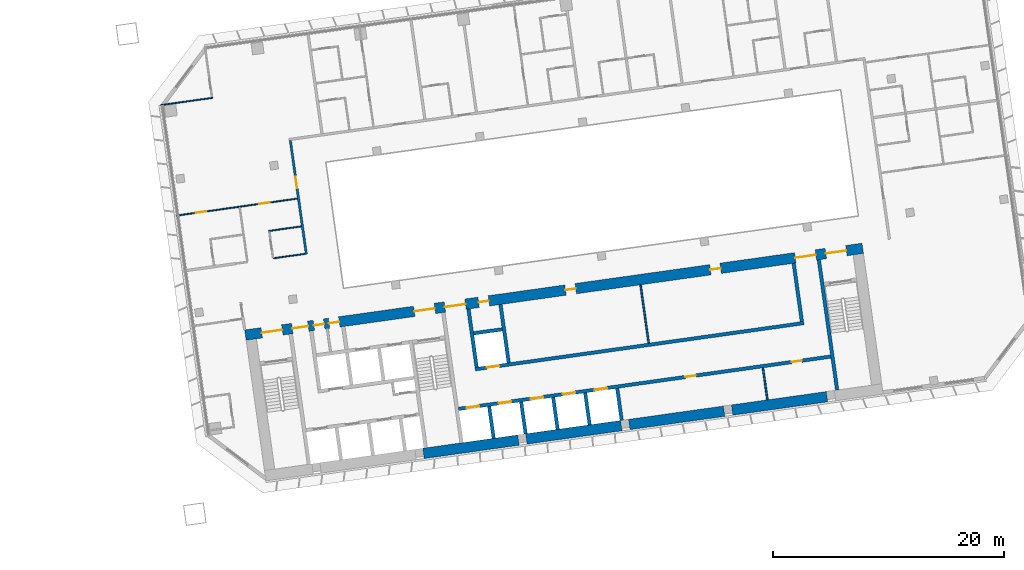
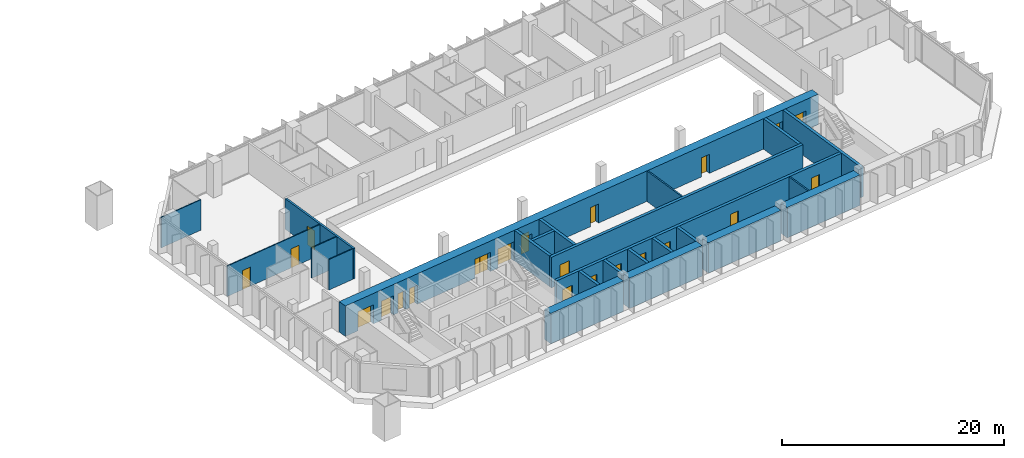
# One storey, part 20 of 25: 24 walls, 22 doors, 22 openings.
"""IFC4 building model written with IfcOpenShell, lengths in metres."""

import ifcopenshell
import ifcopenshell.guid

model = None  # the IFC model being written
_history = None  # IfcOwnerHistory: only IFC2X3 demands one
_inside = {}  # id of a spatial element -> (the spatial element, [elements in it])
_under = {}  # id of a project, library or spatial element -> (it, [spatial elements below it])
_declared = {}  # id of a project -> (the project, [libraries it declares])
_typed = {}  # id of a type object -> (the type object, [elements of that type])
_made_of = {}  # id of a material, layer set ... -> (it, [elements and type objects made of it])


def new_model(schema):
    """Start an empty IFC model of exactly this schema.

    Asked for "IFC4X3", IfcOpenShell would pick the latest addendum, in which some entities
    have other attributes; the version numbers below select the first issue.
    IFC2X3 requires an IfcOwnerHistory on every rooted entity: one is made here for all.
    """
    global model, _history
    if schema == "IFC4X3":
        model = ifcopenshell.file(schema_version=(4, 3, 0, 0))
    else:
        model = ifcopenshell.file(schema=schema)
    _inside.clear()
    _under.clear()
    _declared.clear()
    _typed.clear()
    _made_of.clear()
    _history = None
    if model.schema == "IFC2X3":
        org = make("IfcOrganization", Name="unknown")
        user = make(
            "IfcPersonAndOrganization",
            ThePerson=make("IfcPerson", FamilyName="unknown"),
            TheOrganization=org,
        )
        app = make(
            "IfcApplication",
            ApplicationDeveloper=org,
            Version="unknown",
            ApplicationFullName="unknown",
            ApplicationIdentifier="unknown",
        )
        _history = make(
            "IfcOwnerHistory",
            OwningUser=user,
            OwningApplication=app,
            ChangeAction="ADDED",
            CreationDate=0,
        )
    return model


def make(cls, **values):
    """One entity of the class cls with the attributes given. An attribute that is None is left unset."""
    return model.create_entity(
        cls, **{name: value for name, value in values.items() if value is not None}
    )


def rooted(cls, **values):
    """An entity with a GlobalId (a new one), such as an element, a storey or a relation."""
    return make(cls, GlobalId=ifcopenshell.guid.new(), OwnerHistory=_history, **values)


def si_unit(unit_type, name, prefix=None):
    """IfcSIUnit, for example si_unit("LENGTHUNIT", "METRE", prefix="MILLI")."""
    return make("IfcSIUnit", UnitType=unit_type, Prefix=prefix, Name=name)


def assignment(units):
    """IfcUnitAssignment: the units of a project."""
    return None if units is None else make("IfcUnitAssignment", Units=units)


def point(xyz):
    """IfcCartesianPoint."""
    return None if xyz is None else make("IfcCartesianPoint", Coordinates=xyz)


def direction(xyz):
    """IfcDirection."""
    return None if xyz is None else make("IfcDirection", DirectionRatios=xyz)


def frame(location, z_axis=None, x_axis=None):
    """IfcAxis2Placement3D, a coordinate frame: its origin and axes. An axis left out is left unset."""
    return make(
        "IfcAxis2Placement3D",
        Location=point(location),
        Axis=direction(z_axis),
        RefDirection=direction(x_axis),
    )


def frame_2d(location, x_axis=None):
    """IfcAxis2Placement2D, a coordinate frame in the plane: its origin and x axis."""
    return make(
        "IfcAxis2Placement2D", Location=point(location), RefDirection=direction(x_axis)
    )


def origin():
    """The frame at (0, 0, 0) with its axes left unset."""
    return frame((0.0, 0.0, 0.0))


def place(relative_to, where):
    """IfcLocalPlacement: puts the frame where relative to a parent placement (None: the world)."""
    return make(
        "IfcLocalPlacement", PlacementRelTo=relative_to, RelativePlacement=where
    )


def context(
    kind, dimensions, precision=None, world=None, true_north=None, identifier=None
):
    """IfcGeometricRepresentationContext, for example the 3D "Model" context."""
    return make(
        "IfcGeometricRepresentationContext",
        ContextIdentifier=identifier,
        ContextType=kind,
        CoordinateSpaceDimension=dimensions,
        Precision=precision,
        WorldCoordinateSystem=world,
        TrueNorth=true_north,
    )


def subcontext(parent, identifier, kind, view, scale=None):
    """IfcGeometricRepresentationSubContext, for example "Body" below "Model"."""
    return make(
        "IfcGeometricRepresentationSubContext",
        ContextIdentifier=identifier,
        ContextType=kind,
        ParentContext=parent,
        TargetScale=scale,
        TargetView=view,
    )


def project(units=None, contexts=None):
    """IfcProject with its units and contexts."""
    return rooted(
        "IfcProject",
        Name="project",
        RepresentationContexts=contexts,
        UnitsInContext=assignment(units),
    )


def spatial(cls, under=None, at=None, **own):
    """A site, building, storey or space (cls), placed at a placement, below another one or the project."""
    s = rooted(cls, ObjectPlacement=at, **own)
    if under is not None:
        _under.setdefault(under.id(), (under, []))[1].append(s)
    return s


def profile(cls, at=None, kind="AREA", **sizes):
    """A parametric profile (cls). Its sizes go by their IFC names, for example OverallWidth=200.0."""
    return make(cls, ProfileType=kind, Position=at, **sizes)


def rectangle(**sizes):
    """IfcRectangleProfileDef."""
    return profile("IfcRectangleProfileDef", **sizes)


def extrude(swept, where, along, depth):
    """IfcExtrudedAreaSolid: the profile swept, set in the frame where, extruded along a direction by depth."""
    return make(
        "IfcExtrudedAreaSolid",
        SweptArea=swept,
        Position=where,
        ExtrudedDirection=direction(along),
        Depth=depth,
    )


def shape(context_of_items, identifier, shape_type, items):
    """IfcShapeRepresentation: the items that make up one representation, for example the "Body"."""
    return make(
        "IfcShapeRepresentation",
        ContextOfItems=context_of_items,
        RepresentationIdentifier=identifier,
        RepresentationType=shape_type,
        Items=items,
    )


def material(Name=None, Category=None):
    """IfcMaterial."""
    return make("IfcMaterial", Name=Name, Category=Category)


def layer(
    of_material, thickness, ventilated=None, Name=None, Category=None, Priority=None
):
    """IfcMaterialLayer: one layer of a wall or slab, of a material (None: an air gap)."""
    return make(
        "IfcMaterialLayer",
        Material=of_material,
        LayerThickness=thickness,
        IsVentilated=ventilated,
        Name=Name,
        Category=Category,
        Priority=Priority,
    )


def layer_set(layers, Name=None):
    """IfcMaterialLayerSet."""
    return make("IfcMaterialLayerSet", MaterialLayers=layers, LayerSetName=Name)


def made_of(thing, what):
    """Note that an element or type object is made of a material, layer set ...; save() writes the relation."""
    if what is not None:
        _made_of.setdefault(what.id(), (what, []))[1].append(thing)
    return thing


def type_object(cls, material=None, **own):
    """A type object (cls), such as IfcWallType, which elements share."""
    return made_of(rooted(cls, **own), material)


def element(
    cls,
    number,
    at=None,
    inside=None,
    cuts=None,
    type_object=None,
    material=None,
    context=None,
    identifier="Body",
    shape_type=None,
    held_by="IfcProductDefinitionShape",
    body=None,
    shapes=None,
    **own,
):
    """One element of the class cls, such as IfcWall. Its Tag is "e" and its number.

    at: its placement. inside: the storey or other place that contains it. cuts: it is an
    opening in that element (IfcRelVoidsElement). A single representation is given by context,
    identifier, shape_type and body (its items); several are given by shapes. held_by: the class
    of the entity that holds the representations. save() writes the other relations.
    """
    e = rooted(cls, Tag="e%d" % number, ObjectPlacement=at, **own)
    if body is not None:
        shapes = [shape(context, identifier, shape_type, body)]
    if shapes is not None:
        e.Representation = make(held_by, Representations=shapes)
    if inside is not None:
        _inside.setdefault(inside.id(), (inside, []))[1].append(e)
    if cuts is not None:
        rooted(
            "IfcRelVoidsElement", RelatingBuildingElement=cuts, RelatedOpeningElement=e
        )
    if type_object is not None:
        _typed.setdefault(type_object.id(), (type_object, []))[1].append(e)
    return made_of(e, material)


def fill(opening, filler):
    """IfcRelFillsElement: the door or window that sits in an opening."""
    return rooted(
        "IfcRelFillsElement",
        RelatingOpeningElement=opening,
        RelatedBuildingElement=filler,
    )


def aggregate(whole, parts):
    """IfcRelAggregates: a whole, such as a stair, and the parts it consists of."""
    return rooted("IfcRelAggregates", RelatingObject=whole, RelatedObjects=parts)


def save(model, path):
    """Write the relations noted so far, then the file.

    IfcRelAggregates (storeys below a building ...), IfcRelContainedInSpatialStructure (elements
    in a storey), IfcRelDefinesByType, IfcRelAssociatesMaterial and IfcRelDeclares: one each for
    every whole, place, type object, material and project.
    """
    for whole, parts in _under.values():
        aggregate(whole, parts)
    for where, things in _inside.values():
        rooted(
            "IfcRelContainedInSpatialStructure",
            RelatedElements=things,
            RelatingStructure=where,
        )
    for kind, things in _typed.values():
        rooted("IfcRelDefinesByType", RelatedObjects=things, RelatingType=kind)
    for what, things in _made_of.values():
        rooted("IfcRelAssociatesMaterial", RelatedObjects=things, RelatingMaterial=what)
    for by, libraries in _declared.values():
        rooted("IfcRelDeclares", RelatingContext=by, RelatedDefinitions=libraries)
    model.write(path)


model = new_model("IFC4")

# Units and contexts
model_context = context("Model", 3, precision=1e-05, world=origin(), true_north=direction((0.0, 1.0)))
body_context = subcontext(model_context, "Body", "Model", "MODEL_VIEW")
ifc_project = project(units=[si_unit("LENGTHUNIT", "METRE"), si_unit("AREAUNIT", "SQUARE_METRE"), si_unit("VOLUMEUNIT", "CUBIC_METRE"), si_unit("PLANEANGLEUNIT", "RADIAN"), si_unit("MASSUNIT", "GRAM", prefix="KILO")], contexts=[model_context])

# Site, building, storey
site_placement = place(None, origin())
site = spatial("IfcSite", under=ifc_project, at=site_placement, CompositionType="ELEMENT")
building_placement = place(site_placement, origin())
building = spatial("IfcBuilding", under=site, at=building_placement, Name="Mirante Cascada Hotel Towers", CompositionType="ELEMENT")
storey_placement = place(building_placement, frame((0.0, 0.0, 58.5)))
storey = spatial("IfcBuildingStorey", under=building, at=storey_placement, Name="L11", CompositionType="ELEMENT", Elevation=58.5)

# Wall, opening, door
ifc_material_1 = material(Name="Fire-rated plasterboard on metal studs")
ifc_layer_1 = layer(ifc_material_1, 0.2)
ifc_layer_set_1 = layer_set([ifc_layer_1], Name="Compartment wall 200 EI 120")
wall_type_1 = type_object("IfcWallType", Name="Compartment wall 200 EI 120", PredefinedType="PARTITIONING", material=ifc_layer_set_1)
wall_1_placement = place(storey_placement, frame((39.2181, 9.2928, 0.0), z_axis=(0.0, 0.0, 1.0), x_axis=(0.1391655, -0.9902691, 0.0)))
wall_1 = element("IfcWall", 1, at=wall_1_placement, inside=storey, type_object=wall_type_1, Name="Wall 2-L11-37", PredefinedType="PARTITIONING", context=body_context, shape_type="SweptSolid", body=[
    extrude(rectangle(XDim=9.95, YDim=0.2, at=frame_2d((4.975, 0.0))), origin(), (0.0, 0.0, 1.0), 3.35),
])
opening_1_placement = place(wall_1_placement, frame((3.1834, 0.0, 0.0)))
opening_1 = element("IfcOpeningElement", 2, at=opening_1_placement, cuts=wall_1, Name="Opening D2-L11-31", PredefinedType="OPENING", context=body_context, shape_type="SweptSolid", body=[
    extrude(rectangle(XDim=1.0, YDim=2.1, at=frame_2d((0.5, 1.05))), frame((0.0, 0.1, 0.0), z_axis=(0.0, -1.0, 0.0), x_axis=(1.0, 0.0, 0.0)), (0.0, 0.0, 1.0), 0.2),
])
ifc_material_2 = material(Name="Fire-rated timber door leaf", Category="wood")
door_type_1 = type_object("IfcDoorType", Name="Entrance door DG1 1000x2100 EI 60", OperationType="SINGLE_SWING_LEFT", PredefinedType="DOOR", material=ifc_material_2)
door_1_placement = place(opening_1_placement, frame((1.0, 0.0, 0.0), z_axis=(0.0, 0.0, 1.0), x_axis=(-1.0, 0.0, 0.0)))
door_1 = element("IfcDoor", 3, at=door_1_placement, inside=storey, type_object=door_type_1, Name="Door D2-L11-31", OperationType="SINGLE_SWING_RIGHT", OverallHeight=2.1, OverallWidth=1.0, PredefinedType="DOOR", context=body_context, shape_type="SweptSolid", body=[
    extrude(rectangle(XDim=1.0, YDim=2.1, at=frame_2d((0.5, 1.05))), frame((0.0, 0.025, 0.0), z_axis=(0.0, -1.0, 0.0), x_axis=(1.0, 0.0, 0.0)), (0.0, 0.0, 1.0), 0.05),
])
fill(opening_1, door_1)

# Walls
ifc_material_3 = material(Name="Masonry block", Category="masonry")
ifc_layer_2 = layer(ifc_material_3, 0.15)
ifc_layer_set_2 = layer_set([ifc_layer_2], Name="Core room partition 150 block EI 30")
wall_type_2 = type_object("IfcWallType", Name="Core room partition 150 block EI 30", PredefinedType="PARTITIONING", material=ifc_layer_set_2)
wall_2_placement = place(storey_placement, frame((80.547, -13.174, 0.0), z_axis=(0.0, 0.0, 1.0), x_axis=(-0.139176, 0.9902677, 0.0)))
element("IfcWall", 4, at=wall_2_placement, inside=storey, type_object=wall_type_2, Name="Core wall partition T2 L11 5", PredefinedType="PARTITIONING", context=body_context, shape_type="SweptSolid", body=[
    extrude(rectangle(XDim=2.8001, YDim=0.15, at=frame_2d((1.4, 0.0))), origin(), (0.0, 0.0, 1.0), 3.35),
])
wall_3_placement = place(storey_placement, frame((70.2627, -8.2574, 0.0), z_axis=(0.0, 0.0, 1.0), x_axis=(-0.1391755, 0.9902677, 0.0)))
element("IfcWall", 5, at=wall_3_placement, inside=storey, type_object=wall_type_2, Name="Core wall partition T2 L11 6", PredefinedType="PARTITIONING", context=body_context, shape_type="SweptSolid", body=[
    extrude(rectangle(XDim=5.1, YDim=0.15, at=frame_2d((2.55, 0.0))), origin(), (0.0, 0.0, 1.0), 3.35),
])
ifc_material_4 = material(Name="Plasterboard on metal studs")
ifc_layer_3 = layer(ifc_material_4, 0.1)
ifc_layer_set_3 = layer_set([ifc_layer_3], Name="Partition 100")
wall_type_3 = type_object("IfcWallType", Name="Partition 100", PredefinedType="PARTITIONING", material=ifc_layer_set_3)
wall_4_placement = place(storey_placement, frame((37.7538, -0.9103, 0.0), z_axis=(0.0, 0.0, 1.0), x_axis=(0.9902645, 0.1391984, 0.0)))
element("IfcWall", 6, at=wall_4_placement, inside=storey, type_object=wall_type_3, Name="Wall 2-L11-06", PredefinedType="PARTITIONING", context=body_context, shape_type="SweptSolid", body=[
    extrude(rectangle(XDim=2.74, YDim=0.1, at=frame_2d((1.37, 0.0))), origin(), (0.0, 0.0, 1.0), 3.35),
])
wall_5_placement = place(storey_placement, frame((40.1628, 1.8519, 0.0), z_axis=(0.0, 0.0, 1.0), x_axis=(-0.9902649, -0.1391957, 0.0)))
element("IfcWall", 7, at=wall_5_placement, inside=storey, type_object=wall_type_3, Name="Wall 2-L11-09", PredefinedType="PARTITIONING", context=body_context, shape_type="SweptSolid", body=[
    extrude(rectangle(XDim=2.8499, YDim=0.1, at=frame_2d((1.425, 0.0))), origin(), (0.0, 0.0, 1.0), 3.35),
])

# Wall, openings, doors
wall_6_placement = place(storey_placement, frame((29.3273, 2.7863, 0.0), z_axis=(0.0, 0.0, 1.0), x_axis=(0.9902686, 0.1391691, 0.0)))
wall_6 = element("IfcWall", 8, at=wall_6_placement, inside=storey, type_object=wall_type_3, Name="Wall 2-L11-12", PredefinedType="PARTITIONING", context=body_context, shape_type="SweptSolid", body=[
    extrude(rectangle(XDim=10.6001, YDim=0.1, at=frame_2d((5.3, 0.0))), origin(), (0.0, 0.0, 1.0), 3.35),
])
opening_2_placement = place(wall_6_placement, frame((1.725, 0.0, 0.0)))
opening_2 = element("IfcOpeningElement", 9, at=opening_2_placement, cuts=wall_6, Name="Opening D2-L11-04", PredefinedType="OPENING", context=body_context, shape_type="SweptSolid", body=[
    extrude(rectangle(XDim=0.9, YDim=2.1, at=frame_2d((0.45, 1.05))), frame((0.0, 0.05, 0.0), z_axis=(0.0, -1.0, 0.0), x_axis=(1.0, 0.0, 0.0)), (0.0, 0.0, 1.0), 0.1),
])
opening_3_placement = place(wall_6_placement, frame((7.275, 0.0, 0.0)))
opening_3 = element("IfcOpeningElement", 10, at=opening_3_placement, cuts=wall_6, Name="Opening D2-L11-05", PredefinedType="OPENING", context=body_context, shape_type="SweptSolid", body=[
    extrude(rectangle(XDim=0.9, YDim=2.1, at=frame_2d((0.45, 1.05))), frame((0.0, 0.05, 0.0), z_axis=(0.0, -1.0, 0.0), x_axis=(1.0, 0.0, 0.0)), (0.0, 0.0, 1.0), 0.1),
])
ifc_material_5 = material(Name="Timber door leaf", Category="wood")
door_type_2 = type_object("IfcDoorType", Name="Room door DG3 900x2100", OperationType="SINGLE_SWING_LEFT", PredefinedType="DOOR", material=ifc_material_5)
door_2_placement = place(opening_2_placement, origin())
door_2 = element("IfcDoor", 11, at=door_2_placement, inside=storey, type_object=door_type_2, Name="Door D2-L11-04", OperationType="SINGLE_SWING_LEFT", OverallHeight=2.1, OverallWidth=0.9, PredefinedType="DOOR", context=body_context, shape_type="SweptSolid", body=[
    extrude(rectangle(XDim=0.9, YDim=2.1, at=frame_2d((0.45, 1.05))), frame((0.0, 0.025, 0.0), z_axis=(0.0, -1.0, 0.0), x_axis=(1.0, 0.0, 0.0)), (0.0, 0.0, 1.0), 0.05),
])
fill(opening_2, door_2)
door_3_placement = place(opening_3_placement, origin())
door_3 = element("IfcDoor", 12, at=door_3_placement, inside=storey, type_object=door_type_2, Name="Door D2-L11-05", OperationType="SINGLE_SWING_LEFT", OverallHeight=2.1, OverallWidth=0.9, PredefinedType="DOOR", context=body_context, shape_type="SweptSolid", body=[
    extrude(rectangle(XDim=0.9, YDim=2.1, at=frame_2d((0.45, 1.05))), frame((0.0, 0.025, 0.0), z_axis=(0.0, -1.0, 0.0), x_axis=(1.0, 0.0, 0.0)), (0.0, 0.0, 1.0), 0.05),
])
fill(opening_3, door_3)

# Walls
wall_7_placement = place(storey_placement, frame((27.982, 12.3589, 0.0), z_axis=(0.0, 0.0, 1.0), x_axis=(0.9902691, 0.1391656, 0.0)))
element("IfcWall", 13, at=wall_7_placement, inside=storey, type_object=wall_type_3, Name="Wall 2-L11-24", PredefinedType="PARTITIONING", context=body_context, shape_type="SweptSolid", body=[
    extrude(rectangle(XDim=4.55, YDim=0.1, at=frame_2d((2.275, 0.0))), origin(), (0.0, 0.0, 1.0), 3.35),
])
ifc_material_6 = material(Name="Concrete C50/60", Category="concrete")
ifc_layer_4 = layer(ifc_material_6, 0.3)
ifc_layer_set_4 = layer_set([ifc_layer_4], Name="RC core wall 300 C50/60")
wall_type_4 = type_object("IfcWallType", Name="RC core wall 300 C50/60", PredefinedType="SHEAR", material=ifc_layer_set_4)
wall_8_placement = place(storey_placement, frame((86.5877, -12.325, 0.0), z_axis=(0.0, 0.0, 1.0), x_axis=(-0.1391749, 0.9902678, 0.0)))
element("IfcWall", 14, at=wall_8_placement, inside=storey, type_object=wall_type_4, Name="Core wall T2:L11:8", PredefinedType="SHEAR", context=body_context, shape_type="SweptSolid", body=[
    extrude(rectangle(XDim=11.4, YDim=0.3, at=frame_2d((5.7, 0.0))), origin(), (0.0, 0.0, 1.0), 3.35),
])

# Wall, openings, doors
wall_9_placement = place(storey_placement, frame((53.7953, -13.9547, 0.0), z_axis=(0.0, 0.0, 1.0), x_axis=(0.990268, 0.1391733, 0.0)))
wall_9 = element("IfcWall", 15, at=wall_9_placement, inside=storey, type_object=wall_type_4, Name="Core wall T2:L11:25", PredefinedType="SHEAR", context=body_context, shape_type="SweptSolid", body=[
    extrude(rectangle(XDim=32.5501, YDim=0.3, at=frame_2d((16.275, 0.0))), origin(), (0.0, 0.0, 1.0), 3.35),
])
opening_4_placement = place(wall_9_placement, frame((0.7, 0.0, 0.0)))
opening_4 = element("IfcOpeningElement", 16, at=opening_4_placement, cuts=wall_9, Name="Opening LD", PredefinedType="OPENING", context=body_context, shape_type="SweptSolid", body=[
    extrude(rectangle(XDim=1.1, YDim=2.1, at=frame_2d((0.55, 1.05))), frame((0.0, 0.15, 0.0), z_axis=(0.0, -1.0, 0.0), x_axis=(1.0, 0.0, 0.0)), (0.0, 0.0, 1.0), 0.3),
])
opening_5_placement = place(wall_9_placement, frame((3.5, 0.0, 0.0)))
opening_5 = element("IfcOpeningElement", 17, at=opening_5_placement, cuts=wall_9, Name="Opening LD", PredefinedType="OPENING", context=body_context, shape_type="SweptSolid", body=[
    extrude(rectangle(XDim=1.1, YDim=2.1, at=frame_2d((0.55, 1.05))), frame((0.0, 0.15, 0.0), z_axis=(0.0, -1.0, 0.0), x_axis=(1.0, 0.0, 0.0)), (0.0, 0.0, 1.0), 0.3),
])
opening_6_placement = place(wall_9_placement, frame((6.3, 0.0, 0.0)))
opening_6 = element("IfcOpeningElement", 18, at=opening_6_placement, cuts=wall_9, Name="Opening LD", PredefinedType="OPENING", context=body_context, shape_type="SweptSolid", body=[
    extrude(rectangle(XDim=1.1, YDim=2.1, at=frame_2d((0.55, 1.05))), frame((0.0, 0.15, 0.0), z_axis=(0.0, -1.0, 0.0), x_axis=(1.0, 0.0, 0.0)), (0.0, 0.0, 1.0), 0.3),
])
opening_7_placement = place(wall_9_placement, frame((9.1, 0.0, 0.0)))
opening_7 = element("IfcOpeningElement", 19, at=opening_7_placement, cuts=wall_9, Name="Opening LD", PredefinedType="OPENING", context=body_context, shape_type="SweptSolid", body=[
    extrude(rectangle(XDim=1.1, YDim=2.1, at=frame_2d((0.55, 1.05))), frame((0.0, 0.15, 0.0), z_axis=(0.0, -1.0, 0.0), x_axis=(1.0, 0.0, 0.0)), (0.0, 0.0, 1.0), 0.3),
])
opening_8_placement = place(wall_9_placement, frame((11.9, 0.0, 0.0)))
opening_8 = element("IfcOpeningElement", 20, at=opening_8_placement, cuts=wall_9, Name="Opening LD", PredefinedType="OPENING", context=body_context, shape_type="SweptSolid", body=[
    extrude(rectangle(XDim=1.1, YDim=2.1, at=frame_2d((0.55, 1.05))), frame((0.0, 0.15, 0.0), z_axis=(0.0, -1.0, 0.0), x_axis=(1.0, 0.0, 0.0)), (0.0, 0.0, 1.0), 0.3),
])
opening_9_placement = place(wall_9_placement, frame((19.85, 0.0, 0.0)))
opening_9 = element("IfcOpeningElement", 21, at=opening_9_placement, cuts=wall_9, Name="Opening D2-11-C26", PredefinedType="OPENING", context=body_context, shape_type="SweptSolid", body=[
    extrude(rectangle(XDim=0.9, YDim=2.1, at=frame_2d((0.45, 1.05))), frame((0.0, 0.15, 0.0), z_axis=(0.0, -1.0, 0.0), x_axis=(1.0, 0.0, 0.0)), (0.0, 0.0, 1.0), 0.3),
])
opening_10_placement = place(wall_9_placement, frame((29.125, 0.0, 0.0)))
opening_10 = element("IfcOpeningElement", 22, at=opening_10_placement, cuts=wall_9, Name="Opening D2-11-C27", PredefinedType="OPENING", context=body_context, shape_type="SweptSolid", body=[
    extrude(rectangle(XDim=0.9, YDim=2.1, at=frame_2d((0.45, 1.05))), frame((0.0, 0.15, 0.0), z_axis=(0.0, -1.0, 0.0), x_axis=(1.0, 0.0, 0.0)), (0.0, 0.0, 1.0), 0.3),
])
ifc_material_7 = material(Name="Hollow metal fire door leaf")
door_type_3 = type_object("IfcDoorType", Name="Fire door 900x2100 FD60", OperationType="NOTDEFINED", PredefinedType="DOOR", material=ifc_material_7)
door_4_placement = place(opening_9_placement, frame((0.9, 0.0, 0.0), z_axis=(0.0, 0.0, 1.0), x_axis=(-1.0, 0.0, 0.0)))
door_4 = element("IfcDoor", 23, at=door_4_placement, inside=storey, type_object=door_type_3, Name="Room door T2 L11 26", OperationType="SINGLE_SWING_RIGHT", OverallHeight=2.1, OverallWidth=0.9, PredefinedType="DOOR", context=body_context, shape_type="SweptSolid", body=[
    extrude(rectangle(XDim=0.9, YDim=2.1, at=frame_2d((0.45, 1.05))), frame((0.0, 0.025, 0.0), z_axis=(0.0, -1.0, 0.0), x_axis=(1.0, 0.0, 0.0)), (0.0, 0.0, 1.0), 0.05),
])
fill(opening_9, door_4)
door_5_placement = place(opening_10_placement, frame((0.9, 0.0, 0.0), z_axis=(0.0, 0.0, 1.0), x_axis=(-1.0, 0.0, 0.0)))
door_5 = element("IfcDoor", 24, at=door_5_placement, inside=storey, type_object=door_type_3, Name="Room door T2 L11 27", OperationType="SINGLE_SWING_RIGHT", OverallHeight=2.1, OverallWidth=0.9, PredefinedType="DOOR", context=body_context, shape_type="SweptSolid", body=[
    extrude(rectangle(XDim=0.9, YDim=2.1, at=frame_2d((0.45, 1.05))), frame((0.0, 0.025, 0.0), z_axis=(0.0, -1.0, 0.0), x_axis=(1.0, 0.0, 0.0)), (0.0, 0.0, 1.0), 0.05),
])
fill(opening_10, door_5)
ifc_material_8 = material(Name="Stainless steel", Category="steel")
door_type_4 = type_object("IfcDoorType", Name="Lift landing door 1100x2100 EI 120", OperationType="DOUBLE_DOOR_SLIDING", PredefinedType="DOOR", material=ifc_material_8)
door_6_placement = place(opening_4_placement, origin())
door_6 = element("IfcDoor", 25, at=door_6_placement, inside=storey, type_object=door_type_4, Name="Lift landing door LR2-1 L11", OperationType="DOUBLE_DOOR_SLIDING", OverallHeight=2.1, OverallWidth=1.1, PredefinedType="DOOR", context=body_context, shape_type="SweptSolid", body=[
    extrude(rectangle(XDim=0.545, YDim=2.1, at=frame_2d((0.2725, 1.05))), frame((0.0, 0.025, 0.0), z_axis=(0.0, -1.0, 0.0), x_axis=(1.0, 0.0, 0.0)), (0.0, 0.0, 1.0), 0.05),
    extrude(rectangle(XDim=0.545, YDim=2.1, at=frame_2d((0.8275, 1.05))), frame((0.0, 0.025, 0.0), z_axis=(0.0, -1.0, 0.0), x_axis=(1.0, 0.0, 0.0)), (0.0, 0.0, 1.0), 0.05),
])
fill(opening_4, door_6)
door_7_placement = place(opening_5_placement, origin())
door_7 = element("IfcDoor", 26, at=door_7_placement, inside=storey, type_object=door_type_4, Name="Lift landing door LR2-2 L11", OperationType="DOUBLE_DOOR_SLIDING", OverallHeight=2.1, OverallWidth=1.1, PredefinedType="DOOR", context=body_context, shape_type="SweptSolid", body=[
    extrude(rectangle(XDim=0.545, YDim=2.1, at=frame_2d((0.2725, 1.05))), frame((0.0, 0.025, 0.0), z_axis=(0.0, -1.0, 0.0), x_axis=(1.0, 0.0, 0.0)), (0.0, 0.0, 1.0), 0.05),
    extrude(rectangle(XDim=0.545, YDim=2.1, at=frame_2d((0.8275, 1.05))), frame((0.0, 0.025, 0.0), z_axis=(0.0, -1.0, 0.0), x_axis=(1.0, 0.0, 0.0)), (0.0, 0.0, 1.0), 0.05),
])
fill(opening_5, door_7)
door_8_placement = place(opening_6_placement, origin())
door_8 = element("IfcDoor", 27, at=door_8_placement, inside=storey, type_object=door_type_4, Name="Lift landing door SV2-1 L11", OperationType="DOUBLE_DOOR_SLIDING", OverallHeight=2.1, OverallWidth=1.1, PredefinedType="DOOR", context=body_context, shape_type="SweptSolid", body=[
    extrude(rectangle(XDim=0.545, YDim=2.1, at=frame_2d((0.2725, 1.05))), frame((0.0, 0.025, 0.0), z_axis=(0.0, -1.0, 0.0), x_axis=(1.0, 0.0, 0.0)), (0.0, 0.0, 1.0), 0.05),
    extrude(rectangle(XDim=0.545, YDim=2.1, at=frame_2d((0.8275, 1.05))), frame((0.0, 0.025, 0.0), z_axis=(0.0, -1.0, 0.0), x_axis=(1.0, 0.0, 0.0)), (0.0, 0.0, 1.0), 0.05),
])
fill(opening_6, door_8)
door_9_placement = place(opening_7_placement, origin())
door_9 = element("IfcDoor", 28, at=door_9_placement, inside=storey, type_object=door_type_4, Name="Lift landing door SV2-2 L11", OperationType="DOUBLE_DOOR_SLIDING", OverallHeight=2.1, OverallWidth=1.1, PredefinedType="DOOR", context=body_context, shape_type="SweptSolid", body=[
    extrude(rectangle(XDim=0.545, YDim=2.1, at=frame_2d((0.2725, 1.05))), frame((0.0, 0.025, 0.0), z_axis=(0.0, -1.0, 0.0), x_axis=(1.0, 0.0, 0.0)), (0.0, 0.0, 1.0), 0.05),
    extrude(rectangle(XDim=0.545, YDim=2.1, at=frame_2d((0.8275, 1.05))), frame((0.0, 0.025, 0.0), z_axis=(0.0, -1.0, 0.0), x_axis=(1.0, 0.0, 0.0)), (0.0, 0.0, 1.0), 0.05),
])
fill(opening_7, door_9)
door_10_placement = place(opening_8_placement, origin())
door_10 = element("IfcDoor", 29, at=door_10_placement, inside=storey, type_object=door_type_4, Name="Lift landing door SV2-3 L11", OperationType="DOUBLE_DOOR_SLIDING", OverallHeight=2.1, OverallWidth=1.1, PredefinedType="DOOR", context=body_context, shape_type="SweptSolid", body=[
    extrude(rectangle(XDim=0.545, YDim=2.1, at=frame_2d((0.2725, 1.05))), frame((0.0, 0.025, 0.0), z_axis=(0.0, -1.0, 0.0), x_axis=(1.0, 0.0, 0.0)), (0.0, 0.0, 1.0), 0.05),
    extrude(rectangle(XDim=0.545, YDim=2.1, at=frame_2d((0.8275, 1.05))), frame((0.0, 0.025, 0.0), z_axis=(0.0, -1.0, 0.0), x_axis=(1.0, 0.0, 0.0)), (0.0, 0.0, 1.0), 0.05),
])
fill(opening_8, door_10)

# Walls
for number, where, z_axis, x_axis, name in (
    (30, (56.8301, -16.5072, 0.0), (0.0, 0.0, 1.0), (-0.139176, 0.9902677, 0.0), "Core wall T2:L11:26"),
    (31, (59.6029, -16.1175, 0.0), (0.0, 0.0, 1.0), (-0.139176, 0.9902677, 0.0), "Core wall T2:L11:27"),
    (32, (62.3756, -15.7278, 0.0), (0.0, 0.0, 1.0), (-0.139176, 0.9902677, 0.0), "Core wall T2:L11:28"),
    (33, (65.1484, -15.3381, 0.0), (0.0, 0.0, 1.0), (-0.139176, 0.9902677, 0.0), "Core wall T2:L11:29"),
):
    element("IfcWall", number, at=place(storey_placement, frame(where, z_axis=z_axis, x_axis=x_axis)), inside=storey, type_object=wall_type_4, Name=name, PredefinedType="SHEAR", context=body_context, shape_type="SweptSolid", body=[
        extrude(rectangle(XDim=2.8001, YDim=0.3, at=frame_2d((1.4, 0.0))), origin(), (0.0, 0.0, 1.0), 3.35),
    ])
wall_10_placement = place(storey_placement, frame((67.9211, -14.9484, 0.0), z_axis=(0.0, 0.0, 1.0), x_axis=(-0.139181, 0.990267, 0.0)))
element("IfcWall", 34, at=wall_10_placement, inside=storey, type_object=wall_type_4, Name="Core wall T2:L11:30", PredefinedType="SHEAR", context=body_context, shape_type="SweptSolid", body=[
    extrude(rectangle(XDim=2.8, YDim=0.3, at=frame_2d((1.4, 0.0))), origin(), (0.0, 0.0, 1.0), 3.35),
])

# Wall, opening, door
wall_11_placement = place(storey_placement, frame((55.2315, -10.5214, 0.0), z_axis=(0.0, 0.0, 1.0), x_axis=(0.9902682, 0.1391722, 0.0)))
wall_11 = element("IfcWall", 35, at=wall_11_placement, inside=storey, type_object=wall_type_4, Name="Core wall T2:L11:32", PredefinedType="SHEAR", context=body_context, shape_type="SweptSolid", body=[
    extrude(rectangle(XDim=28.75, YDim=0.3, at=frame_2d((14.375, 0.0))), origin(), (0.0, 0.0, 1.0), 3.35),
])
opening_11_placement = place(wall_11_placement, frame((1.0, 0.0, 0.0)))
opening_11 = element("IfcOpeningElement", 36, at=opening_11_placement, cuts=wall_11, Name="Opening LD", PredefinedType="OPENING", context=body_context, shape_type="SweptSolid", body=[
    extrude(rectangle(XDim=1.1, YDim=2.1, at=frame_2d((0.55, 1.05))), frame((0.0, 0.15, 0.0), z_axis=(0.0, -1.0, 0.0), x_axis=(1.0, 0.0, 0.0)), (0.0, 0.0, 1.0), 0.3),
])
door_11_placement = place(opening_11_placement, origin())
door_11 = element("IfcDoor", 37, at=door_11_placement, inside=storey, type_object=door_type_4, Name="Lift landing door LR2-3 L11", OperationType="DOUBLE_DOOR_SLIDING", OverallHeight=2.1, OverallWidth=1.1, PredefinedType="DOOR", context=body_context, shape_type="SweptSolid", body=[
    extrude(rectangle(XDim=0.545, YDim=2.1, at=frame_2d((0.2725, 1.05))), frame((0.0, 0.025, 0.0), z_axis=(0.0, -1.0, 0.0), x_axis=(1.0, 0.0, 0.0)), (0.0, 0.0, 1.0), 0.05),
    extrude(rectangle(XDim=0.545, YDim=2.1, at=frame_2d((0.8275, 1.05))), frame((0.0, 0.025, 0.0), z_axis=(0.0, -1.0, 0.0), x_axis=(1.0, 0.0, 0.0)), (0.0, 0.0, 1.0), 0.05),
])
fill(opening_11, door_11)

# Walls
for number, where, z_axis, x_axis, name in (
    (38, (55.3592, -10.352, 0.0), (0.0, 0.0, 1.0), (-0.1391755, 0.9902677, 0.0), "Core wall T2:L11:33"),
    (39, (83.5323, -6.3925, 0.0), (0.0, 0.0, 1.0), (-0.1391755, 0.9902677, 0.0), "Core wall T2:L11:34"),
    (40, (58.1319, -9.9623, 0.0), (0.0, 0.0, 1.0), (-0.1391755, 0.9902677, 0.0), "Core wall T2:L11:35"),
):
    element("IfcWall", number, at=place(storey_placement, frame(where, z_axis=z_axis, x_axis=x_axis)), inside=storey, type_object=wall_type_4, Name=name, PredefinedType="SHEAR", context=body_context, shape_type="SweptSolid", body=[
        extrude(rectangle(XDim=5.1, YDim=0.3, at=frame_2d((2.55, 0.0))), origin(), (0.0, 0.0, 1.0), 3.35),
    ])
wall_12_placement = place(storey_placement, frame((55.0971, -7.4098, 0.0), z_axis=(0.0, 0.0, 1.0), x_axis=(0.9902701, 0.1391586, 0.0)))
element("IfcWall", 41, at=wall_12_placement, inside=storey, type_object=wall_type_4, Name="Core wall T2:L11:36", PredefinedType="SHEAR", context=body_context, shape_type="SweptSolid", body=[
    extrude(rectangle(XDim=2.5, YDim=0.3, at=frame_2d((1.25, 0.0))), origin(), (0.0, 0.0, 1.0), 3.35),
])
ifc_material_9 = material(Name="Concrete C50/60", Category="concrete")
ifc_layer_5 = layer(ifc_material_9, 0.9)
ifc_layer_set_5 = layer_set([ifc_layer_5], Name="RC core wall 900 C50/60")
wall_type_5 = type_object("IfcWallType", Name="RC core wall 900 C50/60", PredefinedType="SHEAR", material=ifc_layer_set_5)
for number, where, z_axis, x_axis, name in (
    (42, (50.7531, -17.8156, 0.0), (0.0, 0.0, 1.0), (0.9902686, 0.1391692, 0.0), "Core wall T2:L11:1.3"),
    (43, (59.6655, -16.5631, 0.0), (0.0, 0.0, 1.0), (0.9902686, 0.1391692, 0.0), "Core wall T2:L11:1.4"),
    (44, (68.5779, -15.3105, 0.0), (0.0, 0.0, 1.0), (0.9902686, 0.1391692, 0.0), "Core wall T2:L11:1.5"),
    (45, (77.4903, -14.058, 0.0), (0.0, 0.0, 1.0), (0.990267, 0.139181, 0.0), "Core wall T2:L11:1.6"),
):
    element("IfcWall", number, at=place(storey_placement, frame(where, z_axis=z_axis, x_axis=x_axis)), inside=storey, type_object=wall_type_5, Name=name, PredefinedType="SHEAR", context=body_context, shape_type="SweptSolid", body=[
        extrude(rectangle(XDim=8.3, YDim=0.9, at=frame_2d((4.15, 0.0))), origin(), (0.0, 0.0, 1.0), 3.35),
    ])

# Wall, openings, doors
wall_13_placement = place(storey_placement, frame((35.326, -7.5629, 0.0), z_axis=(0.0, 0.0, 1.0), x_axis=(0.9902679, 0.139174, 0.0)))
wall_13 = element("IfcWall", 46, at=wall_13_placement, inside=storey, type_object=wall_type_5, Name="Core wall T2:L11:2", PredefinedType="SHEAR", context=body_context, shape_type="SweptSolid", body=[
    extrude(rectangle(XDim=54.0, YDim=0.9, at=frame_2d((27.0, 0.0))), origin(), (0.0, 0.0, 1.0), 3.35),
])
opening_12_placement = place(wall_13_placement, frame((1.425, 0.0, 0.0)))
opening_12 = element("IfcOpeningElement", 47, at=opening_12_placement, cuts=wall_13, Name="Opening D2-11-C14", PredefinedType="OPENING", context=body_context, shape_type="SweptSolid", body=[
    extrude(rectangle(XDim=1.8, YDim=2.1, at=frame_2d((0.9, 1.05))), frame((0.0, 0.45, 0.0), z_axis=(0.0, -1.0, 0.0), x_axis=(1.0, 0.0, 0.0)), (0.0, 0.0, 1.0), 0.9),
])
opening_13_placement = place(wall_13_placement, frame((14.775, 0.0, 0.0)))
opening_13 = element("IfcOpeningElement", 48, at=opening_13_placement, cuts=wall_13, Name="Opening D2-11-C16", PredefinedType="OPENING", context=body_context, shape_type="SweptSolid", body=[
    extrude(rectangle(XDim=1.8, YDim=2.1, at=frame_2d((0.9, 1.05))), frame((0.0, 0.45, 0.0), z_axis=(0.0, -1.0, 0.0), x_axis=(1.0, 0.0, 0.0)), (0.0, 0.0, 1.0), 0.9),
])
opening_14_placement = place(wall_13_placement, frame((50.775, 0.0, 0.0)))
opening_14 = element("IfcOpeningElement", 49, at=opening_14_placement, cuts=wall_13, Name="Opening D2-11-C18", PredefinedType="OPENING", context=body_context, shape_type="SweptSolid", body=[
    extrude(rectangle(XDim=1.8, YDim=2.1, at=frame_2d((0.9, 1.05))), frame((0.0, 0.45, 0.0), z_axis=(0.0, -1.0, 0.0), x_axis=(1.0, 0.0, 0.0)), (0.0, 0.0, 1.0), 0.9),
])
opening_15_placement = place(wall_13_placement, frame((4.1, 0.0, 0.0)))
opening_15 = element("IfcOpeningElement", 50, at=opening_15_placement, cuts=wall_13, Name="Opening D2-11-C19", PredefinedType="OPENING", context=body_context, shape_type="SweptSolid", body=[
    extrude(rectangle(XDim=1.4, YDim=2.1, at=frame_2d((0.7, 1.05))), frame((0.0, 0.45, 0.0), z_axis=(0.0, -1.0, 0.0), x_axis=(1.0, 0.0, 0.0)), (0.0, 0.0, 1.0), 0.9),
])
opening_16_placement = place(wall_13_placement, frame((17.45, 0.0, 0.0)))
opening_16 = element("IfcOpeningElement", 51, at=opening_16_placement, cuts=wall_13, Name="Opening D2-11-C20", PredefinedType="OPENING", context=body_context, shape_type="SweptSolid", body=[
    extrude(rectangle(XDim=1.8, YDim=2.1, at=frame_2d((0.9, 1.05))), frame((0.0, 0.45, 0.0), z_axis=(0.0, -1.0, 0.0), x_axis=(1.0, 0.0, 0.0)), (0.0, 0.0, 1.0), 0.9),
])
opening_17_placement = place(wall_13_placement, frame((48.1, 0.0, 0.0)))
opening_17 = element("IfcOpeningElement", 52, at=opening_17_placement, cuts=wall_13, Name="Opening D2-11-C21", PredefinedType="OPENING", context=body_context, shape_type="SweptSolid", body=[
    extrude(rectangle(XDim=1.8, YDim=2.1, at=frame_2d((0.9, 1.05))), frame((0.0, 0.45, 0.0), z_axis=(0.0, -1.0, 0.0), x_axis=(1.0, 0.0, 0.0)), (0.0, 0.0, 1.0), 0.9),
])
opening_18_placement = place(wall_13_placement, frame((5.9875, 0.0, 0.0)))
opening_18 = element("IfcOpeningElement", 53, at=opening_18_placement, cuts=wall_13, Name="Opening D2-11-C24", PredefinedType="OPENING", context=body_context, shape_type="SweptSolid", body=[
    extrude(rectangle(XDim=0.9, YDim=2.1, at=frame_2d((0.45, 1.05))), frame((0.0, 0.45, 0.0), z_axis=(0.0, -1.0, 0.0), x_axis=(1.0, 0.0, 0.0)), (0.0, 0.0, 1.0), 0.9),
])
opening_19_placement = place(wall_13_placement, frame((7.3125, 0.0, 0.0)))
opening_19 = element("IfcOpeningElement", 54, at=opening_19_placement, cuts=wall_13, Name="Opening D2-11-C25", PredefinedType="OPENING", context=body_context, shape_type="SweptSolid", body=[
    extrude(rectangle(XDim=0.9, YDim=2.1, at=frame_2d((0.45, 1.05))), frame((0.0, 0.45, 0.0), z_axis=(0.0, -1.0, 0.0), x_axis=(1.0, 0.0, 0.0)), (0.0, 0.0, 1.0), 0.9),
])
opening_20_placement = place(wall_13_placement, frame((20.4, 0.0, 0.0)))
opening_20 = element("IfcOpeningElement", 55, at=opening_20_placement, cuts=wall_13, Name="Opening D2-11-C28", PredefinedType="OPENING", context=body_context, shape_type="SweptSolid", body=[
    extrude(rectangle(XDim=0.9, YDim=2.1, at=frame_2d((0.45, 1.05))), frame((0.0, 0.45, 0.0), z_axis=(0.0, -1.0, 0.0), x_axis=(1.0, 0.0, 0.0)), (0.0, 0.0, 1.0), 0.9),
])
opening_21_placement = place(wall_13_placement, frame((28.0, 0.0, 0.0)))
opening_21 = element("IfcOpeningElement", 56, at=opening_21_placement, cuts=wall_13, Name="Opening D2-11-C29", PredefinedType="OPENING", context=body_context, shape_type="SweptSolid", body=[
    extrude(rectangle(XDim=0.9, YDim=2.1, at=frame_2d((0.45, 1.05))), frame((0.0, 0.45, 0.0), z_axis=(0.0, -1.0, 0.0), x_axis=(1.0, 0.0, 0.0)), (0.0, 0.0, 1.0), 0.9),
])
opening_22_placement = place(wall_13_placement, frame((40.675, 0.0, 0.0)))
opening_22 = element("IfcOpeningElement", 57, at=opening_22_placement, cuts=wall_13, Name="Opening D2-11-C30", PredefinedType="OPENING", context=body_context, shape_type="SweptSolid", body=[
    extrude(rectangle(XDim=0.9, YDim=2.1, at=frame_2d((0.45, 1.05))), frame((0.0, 0.45, 0.0), z_axis=(0.0, -1.0, 0.0), x_axis=(1.0, 0.0, 0.0)), (0.0, 0.0, 1.0), 0.9),
])
ifc_material_10 = material(Name="Hollow metal fire door leaf")
door_type_5 = type_object("IfcDoorType", Name="Double fire door 1400x2100 FD60", OperationType="DOUBLE_DOOR_SINGLE_SWING", PredefinedType="DOOR", material=ifc_material_10)
door_12_placement = place(opening_15_placement, origin())
door_12 = element("IfcDoor", 58, at=door_12_placement, inside=storey, type_object=door_type_5, Name="Exit door to gallery T2 L11 19", OperationType="DOUBLE_DOOR_SINGLE_SWING", OverallHeight=2.1, OverallWidth=1.4, PredefinedType="DOOR", context=body_context, shape_type="SweptSolid", body=[
    extrude(rectangle(XDim=0.695, YDim=2.1, at=frame_2d((0.3475, 1.05))), frame((0.0, 0.025, 0.0), z_axis=(0.0, -1.0, 0.0), x_axis=(1.0, 0.0, 0.0)), (0.0, 0.0, 1.0), 0.05),
    extrude(rectangle(XDim=0.695, YDim=2.1, at=frame_2d((1.0525, 1.05))), frame((0.0, 0.025, 0.0), z_axis=(0.0, -1.0, 0.0), x_axis=(1.0, 0.0, 0.0)), (0.0, 0.0, 1.0), 0.05),
])
fill(opening_15, door_12)
ifc_material_11 = material(Name="Hollow metal fire door leaf")
door_type_6 = type_object("IfcDoorType", Name="Double fire door 1800x2100 FD60", OperationType="DOUBLE_DOOR_SINGLE_SWING", PredefinedType="DOOR", material=ifc_material_11)
door_13_placement = place(opening_12_placement, frame((1.8, 0.0, 0.0), z_axis=(0.0, 0.0, 1.0), x_axis=(-1.0, 0.0, 0.0)))
door_13 = element("IfcDoor", 59, at=door_13_placement, inside=storey, type_object=door_type_6, Name="Exit door to gallery T2 L11 14", OperationType="DOUBLE_DOOR_SINGLE_SWING", OverallHeight=2.1, OverallWidth=1.8, PredefinedType="DOOR", context=body_context, shape_type="SweptSolid", body=[
    extrude(rectangle(XDim=0.895, YDim=2.1, at=frame_2d((0.4475, 1.05))), frame((0.0, 0.025, 0.0), z_axis=(0.0, -1.0, 0.0), x_axis=(1.0, 0.0, 0.0)), (0.0, 0.0, 1.0), 0.05),
    extrude(rectangle(XDim=0.895, YDim=2.1, at=frame_2d((1.3525, 1.05))), frame((0.0, 0.025, 0.0), z_axis=(0.0, -1.0, 0.0), x_axis=(1.0, 0.0, 0.0)), (0.0, 0.0, 1.0), 0.05),
])
fill(opening_12, door_13)
door_14_placement = place(opening_13_placement, frame((1.8, 0.0, 0.0), z_axis=(0.0, 0.0, 1.0), x_axis=(-1.0, 0.0, 0.0)))
door_14 = element("IfcDoor", 60, at=door_14_placement, inside=storey, type_object=door_type_6, Name="Exit door to gallery T2 L11 16", OperationType="DOUBLE_DOOR_SINGLE_SWING", OverallHeight=2.1, OverallWidth=1.8, PredefinedType="DOOR", context=body_context, shape_type="SweptSolid", body=[
    extrude(rectangle(XDim=0.895, YDim=2.1, at=frame_2d((0.4475, 1.05))), frame((0.0, 0.025, 0.0), z_axis=(0.0, -1.0, 0.0), x_axis=(1.0, 0.0, 0.0)), (0.0, 0.0, 1.0), 0.05),
    extrude(rectangle(XDim=0.895, YDim=2.1, at=frame_2d((1.3525, 1.05))), frame((0.0, 0.025, 0.0), z_axis=(0.0, -1.0, 0.0), x_axis=(1.0, 0.0, 0.0)), (0.0, 0.0, 1.0), 0.05),
])
fill(opening_13, door_14)
door_15_placement = place(opening_14_placement, frame((1.8, 0.0, 0.0), z_axis=(0.0, 0.0, 1.0), x_axis=(-1.0, 0.0, 0.0)))
door_15 = element("IfcDoor", 61, at=door_15_placement, inside=storey, type_object=door_type_6, Name="Exit door to gallery T2 L11 18", OperationType="DOUBLE_DOOR_SINGLE_SWING", OverallHeight=2.1, OverallWidth=1.8, PredefinedType="DOOR", context=body_context, shape_type="SweptSolid", body=[
    extrude(rectangle(XDim=0.895, YDim=2.1, at=frame_2d((0.4475, 1.05))), frame((0.0, 0.025, 0.0), z_axis=(0.0, -1.0, 0.0), x_axis=(1.0, 0.0, 0.0)), (0.0, 0.0, 1.0), 0.05),
    extrude(rectangle(XDim=0.895, YDim=2.1, at=frame_2d((1.3525, 1.05))), frame((0.0, 0.025, 0.0), z_axis=(0.0, -1.0, 0.0), x_axis=(1.0, 0.0, 0.0)), (0.0, 0.0, 1.0), 0.05),
])
fill(opening_14, door_15)
door_16_placement = place(opening_16_placement, origin())
door_16 = element("IfcDoor", 62, at=door_16_placement, inside=storey, type_object=door_type_6, Name="Exit door to gallery T2 L11 20", OperationType="DOUBLE_DOOR_SINGLE_SWING", OverallHeight=2.1, OverallWidth=1.8, PredefinedType="DOOR", context=body_context, shape_type="SweptSolid", body=[
    extrude(rectangle(XDim=0.895, YDim=2.1, at=frame_2d((0.4475, 1.05))), frame((0.0, 0.025, 0.0), z_axis=(0.0, -1.0, 0.0), x_axis=(1.0, 0.0, 0.0)), (0.0, 0.0, 1.0), 0.05),
    extrude(rectangle(XDim=0.895, YDim=2.1, at=frame_2d((1.3525, 1.05))), frame((0.0, 0.025, 0.0), z_axis=(0.0, -1.0, 0.0), x_axis=(1.0, 0.0, 0.0)), (0.0, 0.0, 1.0), 0.05),
])
fill(opening_16, door_16)
door_17_placement = place(opening_17_placement, origin())
door_17 = element("IfcDoor", 63, at=door_17_placement, inside=storey, type_object=door_type_6, Name="Exit door to gallery T2 L11 21", OperationType="DOUBLE_DOOR_SINGLE_SWING", OverallHeight=2.1, OverallWidth=1.8, PredefinedType="DOOR", context=body_context, shape_type="SweptSolid", body=[
    extrude(rectangle(XDim=0.895, YDim=2.1, at=frame_2d((0.4475, 1.05))), frame((0.0, 0.025, 0.0), z_axis=(0.0, -1.0, 0.0), x_axis=(1.0, 0.0, 0.0)), (0.0, 0.0, 1.0), 0.05),
    extrude(rectangle(XDim=0.895, YDim=2.1, at=frame_2d((1.3525, 1.05))), frame((0.0, 0.025, 0.0), z_axis=(0.0, -1.0, 0.0), x_axis=(1.0, 0.0, 0.0)), (0.0, 0.0, 1.0), 0.05),
])
fill(opening_17, door_17)
door_18_placement = place(opening_18_placement, frame((0.9, 0.0, 0.0), z_axis=(0.0, 0.0, 1.0), x_axis=(-1.0, 0.0, 0.0)))
door_18 = element("IfcDoor", 64, at=door_18_placement, inside=storey, type_object=door_type_3, Name="Room door T2 L11 24", OperationType="SINGLE_SWING_LEFT", OverallHeight=2.1, OverallWidth=0.9, PredefinedType="DOOR", context=body_context, shape_type="SweptSolid", body=[
    extrude(rectangle(XDim=0.9, YDim=2.1, at=frame_2d((0.45, 1.05))), frame((0.0, 0.025, 0.0), z_axis=(0.0, -1.0, 0.0), x_axis=(1.0, 0.0, 0.0)), (0.0, 0.0, 1.0), 0.05),
])
fill(opening_18, door_18)
door_19_placement = place(opening_19_placement, frame((0.9, 0.0, 0.0), z_axis=(0.0, 0.0, 1.0), x_axis=(-1.0, 0.0, 0.0)))
door_19 = element("IfcDoor", 65, at=door_19_placement, inside=storey, type_object=door_type_3, Name="Room door T2 L11 25", OperationType="SINGLE_SWING_LEFT", OverallHeight=2.1, OverallWidth=0.9, PredefinedType="DOOR", context=body_context, shape_type="SweptSolid", body=[
    extrude(rectangle(XDim=0.9, YDim=2.1, at=frame_2d((0.45, 1.05))), frame((0.0, 0.025, 0.0), z_axis=(0.0, -1.0, 0.0), x_axis=(1.0, 0.0, 0.0)), (0.0, 0.0, 1.0), 0.05),
])
fill(opening_19, door_19)
door_20_placement = place(opening_20_placement, frame((0.9, 0.0, 0.0), z_axis=(0.0, 0.0, 1.0), x_axis=(-1.0, 0.0, 0.0)))
door_20 = element("IfcDoor", 66, at=door_20_placement, inside=storey, type_object=door_type_3, Name="Room door T2 L11 28", OperationType="SINGLE_SWING_LEFT", OverallHeight=2.1, OverallWidth=0.9, PredefinedType="DOOR", context=body_context, shape_type="SweptSolid", body=[
    extrude(rectangle(XDim=0.9, YDim=2.1, at=frame_2d((0.45, 1.05))), frame((0.0, 0.025, 0.0), z_axis=(0.0, -1.0, 0.0), x_axis=(1.0, 0.0, 0.0)), (0.0, 0.0, 1.0), 0.05),
])
fill(opening_20, door_20)
door_21_placement = place(opening_21_placement, frame((0.9, 0.0, 0.0), z_axis=(0.0, 0.0, 1.0), x_axis=(-1.0, 0.0, 0.0)))
door_21 = element("IfcDoor", 67, at=door_21_placement, inside=storey, type_object=door_type_3, Name="Room door T2 L11 29", OperationType="SINGLE_SWING_RIGHT", OverallHeight=2.1, OverallWidth=0.9, PredefinedType="DOOR", context=body_context, shape_type="SweptSolid", body=[
    extrude(rectangle(XDim=0.9, YDim=2.1, at=frame_2d((0.45, 1.05))), frame((0.0, 0.025, 0.0), z_axis=(0.0, -1.0, 0.0), x_axis=(1.0, 0.0, 0.0)), (0.0, 0.0, 1.0), 0.05),
])
fill(opening_21, door_21)
door_22_placement = place(opening_22_placement, frame((0.9, 0.0, 0.0), z_axis=(0.0, 0.0, 1.0), x_axis=(-1.0, 0.0, 0.0)))
door_22 = element("IfcDoor", 68, at=door_22_placement, inside=storey, type_object=door_type_3, Name="Room door T2 L11 30", OperationType="SINGLE_SWING_RIGHT", OverallHeight=2.1, OverallWidth=0.9, PredefinedType="DOOR", context=body_context, shape_type="SweptSolid", body=[
    extrude(rectangle(XDim=0.9, YDim=2.1, at=frame_2d((0.45, 1.05))), frame((0.0, 0.025, 0.0), z_axis=(0.0, -1.0, 0.0), x_axis=(1.0, 0.0, 0.0)), (0.0, 0.0, 1.0), 0.05),
])
fill(opening_22, door_22)

save(model, "model.ifc")
